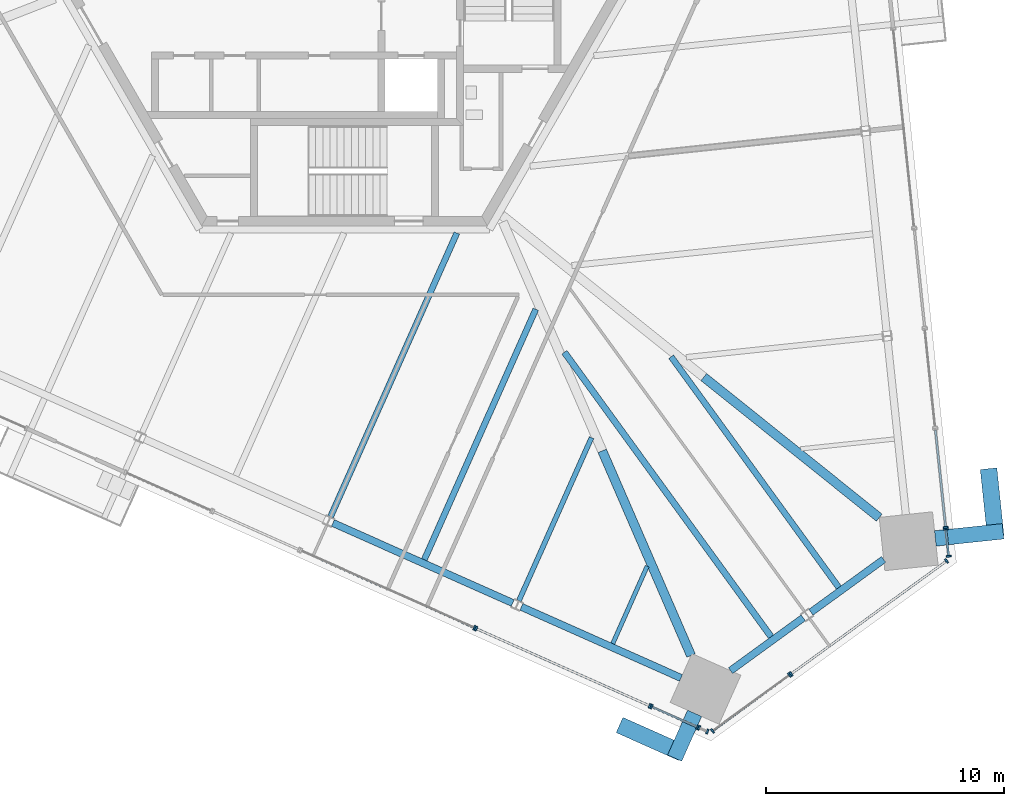
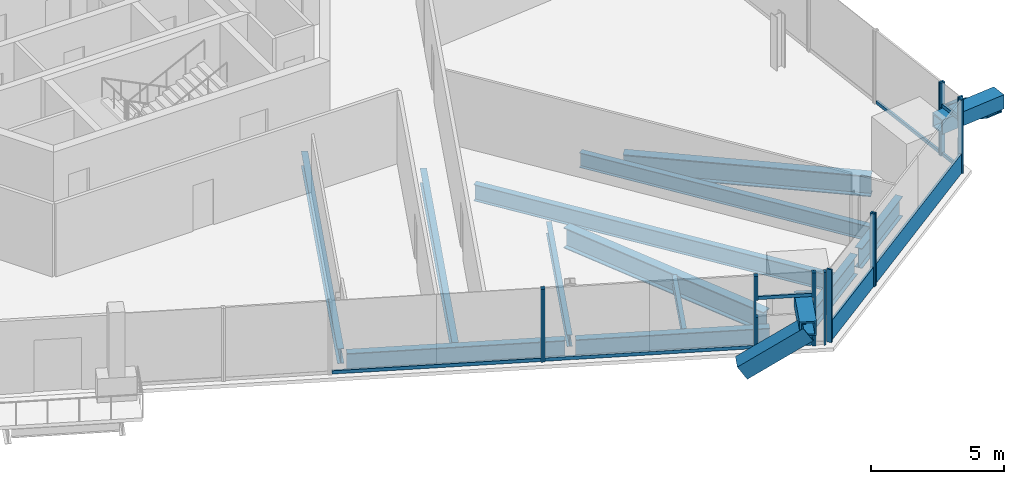
# One storey, part 5 of 25: 31 members, 12 beams, 10 elements without a shape of their own.
"""IFC4 building model written with IfcOpenShell, lengths in metres."""

from ifc_helpers import new_model, si_unit, direction, frame, origin, origin_2d, place, context, subcontext, project, spatial, rectangle, hollow_rectangle, i_section, extrude, source, transform, mapped, material, material_profile, profile_set, type_object, element, aggregate, save


model = new_model("IFC4")

# Units and contexts
model_context = context("Model", 3, precision=1e-05, world=origin(), true_north=direction((0.0, 1.0)))
body_context = subcontext(model_context, "Body", "Model", "MODEL_VIEW")
ifc_project = project(units=[si_unit("LENGTHUNIT", "METRE"), si_unit("AREAUNIT", "SQUARE_METRE"), si_unit("VOLUMEUNIT", "CUBIC_METRE"), si_unit("PLANEANGLEUNIT", "RADIAN"), si_unit("MASSUNIT", "GRAM", prefix="KILO")], contexts=[model_context])

# Site, building, storey
site_placement = place(None, origin())
site = spatial("IfcSite", under=ifc_project, at=site_placement, CompositionType="ELEMENT")
building_placement = place(site_placement, origin())
building = spatial("IfcBuilding", under=site, at=building_placement, Name="Triune Harvest Tower", CompositionType="ELEMENT")
storey_placement = place(building_placement, frame((0.0, 0.0, 90.89990234375)))
storey = spatial("IfcBuildingStorey", under=building, at=storey_placement, Name="L22", CompositionType="ELEMENT", Elevation=90.89990234375)

# Member
ifc_material_1 = material(Name="Steel ASTM A572 Gr 50", Category="steel")
ifc_material_profile_1 = material_profile(ifc_material_1, hollow_rectangle(XDim=0.699951171875, YDim=0.699951171875, WallThickness=0.0400390625, at=origin_2d()), Name="Box 700x700x40")
ifc_profile_set_1 = profile_set([ifc_material_profile_1], Name="Steel ASTM A572 Gr 50")
member_type_1 = type_object("IfcMemberType", Name="BR-1 Brace Box 700x700x40", PredefinedType="BRACE", material=ifc_profile_set_1)
member_1_placement = place(storey_placement, frame((11.72412109375, -31.43408203125, 0.0), z_axis=(0.770548219897, -0.343108917658, 0.537151479042), x_axis=(0.406774979688, 0.913528388119, 0.0)))
element("IfcMember", 1, at=member_1_placement, inside=storey, type_object=member_type_1, Name="brace/B2-F5/d1/10", PredefinedType="BRACE", context=body_context, shape_type="SweptSolid", body=[
    extrude(hollow_rectangle(XDim=0.699951171875, YDim=0.699951171875, WallThickness=0.0400390625, at=origin_2d()), origin(), (0.0, 0.0, 1.0), 2.952880859375),
])

# Beams
ifc_material_2 = material(Name="Steel ASTM A992 Gr 50", Category="steel")
ifc_material_profile_2 = material_profile(ifc_material_2, i_section(OverallWidth=0.3046875, OverallDepth=0.914306640625, WebThickness=0.0166015625, FlangeThickness=0.02587890625, at=origin_2d()), Name="W36x160")
ifc_profile_set_2 = profile_set([ifc_material_profile_2], Name="Steel ASTM A992 Gr 50")
beam_type_1 = type_object("IfcBeamType", Name="SB-1 Spandrel beam W36x160", PredefinedType="SPANDREL", material=ifc_profile_set_2)
shared_shape_1 = source(origin(), body_context, "Body", "SweptSolid", [
    extrude(i_section(OverallWidth=0.3046875, OverallDepth=0.914306640625, WebThickness=0.0166015625, FlangeThickness=0.02587890625, at=origin_2d()), origin(), (0.0, 0.0, 1.0), 7.337890625),
])
beam_1_placement = place(storey_placement, frame((7.4296875, -26.396484375, -0.6171875), z_axis=(0.913546560881, -0.406734165153, 0.0), x_axis=(0.406734165153, 0.913546560881, 0.0)))
element("IfcBeam", 2, at=beam_1_placement, inside=storey, type_object=beam_type_1, Name="beam/L22/SB22", PredefinedType="SPANDREL", context=body_context, shape_type="MappedRepresentation", body=[
    mapped(shared_shape_1, transform((0.0, 0.0, 0.0), scale=1.0)),
])
shared_shape_2 = source(origin(), body_context, "Body", "SweptSolid", [
    extrude(i_section(OverallWidth=0.3046875, OverallDepth=0.914306640625, WebThickness=0.0166015625, FlangeThickness=0.02587890625, at=origin_2d()), origin(), (0.0, 0.0, 1.0), 8.263427734375),
])
beam_2_placement = place(storey_placement, frame((-0.483642578125, -22.873291015625, -0.6171875), z_axis=(0.913544537455, -0.406738709846, 0.0), x_axis=(0.406738709846, 0.913544537455, 0.0)))
element("IfcBeam", 3, at=beam_2_placement, inside=storey, type_object=beam_type_1, Name="beam/L22/SB21", PredefinedType="SPANDREL", context=body_context, shape_type="MappedRepresentation", body=[
    mapped(shared_shape_2, transform((0.0, 0.0, 0.0), scale=1.0)),
])
shared_shape_3 = source(origin(), body_context, "Body", "SweptSolid", [
    extrude(i_section(OverallWidth=0.3046875, OverallDepth=0.914306640625, WebThickness=0.0166015625, FlangeThickness=0.02587890625, at=origin_2d()), origin(), (0.0, 0.0, 1.0), 3.77490234375),
])
for number, where, z_axis, x_axis, name in (
    (4, (16.2119140625, -29.0751953125, -0.6171875), (0.809026850732, 0.587771685942, 0.0), (-0.587771685942, 0.809026850732, 0.0), "beam/L22/SB23"),
    (5, (19.58837890625, -26.6220703125, -0.6171875), (0.809026850732, 0.587771685942, 0.0), (-0.587771685942, 0.809026850732, 0.0), "beam/L22/SB24"),
):
    element("IfcBeam", number, at=place(storey_placement, frame(where, z_axis=z_axis, x_axis=x_axis)), inside=storey, type_object=beam_type_1, Name=name, PredefinedType="SPANDREL", context=body_context, shape_type="MappedRepresentation", body=[
        mapped(shared_shape_3, transform((0.0, 0.0, 0.0), scale=1.0)),
    ])
ifc_material_3 = material(Name="Steel ASTM A992 Gr 50", Category="steel")
ifc_material_profile_3 = material_profile(ifc_material_3, i_section(OverallWidth=0.383544921875, OverallDepth=0.9423828125, WebThickness=0.022216796875, FlangeThickness=0.039794921875, at=origin_2d()), Name="W36x232")
ifc_profile_set_3 = profile_set([ifc_material_profile_3], Name="Steel ASTM A992 Gr 50")
beam_type_2 = type_object("IfcBeamType", Name="HG-1 Hip girder W36x232", PredefinedType="BEAM", material=ifc_profile_set_3)
shared_shape_4 = source(origin(), body_context, "Body", "SweptSolid", [
    extrude(i_section(OverallWidth=0.383544921875, OverallDepth=0.9423828125, WebThickness=0.022216796875, FlangeThickness=0.039794921875, at=origin_2d()), origin(), (0.0, 0.0, 1.0), 9.44091796875),
])
beam_3_placement = place(storey_placement, frame((22.4580078125, -22.649658203125, -0.631103515625), z_axis=(-0.780348817967, 0.625344482903, 0.0), x_axis=(-0.625344482903, -0.780348817967, 0.0)))
element("IfcBeam", 6, at=beam_3_placement, inside=storey, type_object=beam_type_2, Name="beam/L22/HG1", PredefinedType="BEAM", context=body_context, shape_type="MappedRepresentation", body=[
    mapped(shared_shape_4, transform((0.0, 0.0, 0.0), scale=1.0)),
])
shared_shape_5 = source(origin(), body_context, "Body", "SweptSolid", [
    extrude(i_section(OverallWidth=0.383544921875, OverallDepth=0.9423828125, WebThickness=0.022216796875, FlangeThickness=0.039794921875, at=origin_2d()), origin(), (0.0, 0.0, 1.0), 9.366943359375),
])
beam_4_placement = place(storey_placement, frame((14.552978515625, -28.43798828125, -0.631103515625), z_axis=(-0.398055044024, 0.917361532836, 0.0), x_axis=(-0.917361532836, -0.398055044024, 0.0)))
element("IfcBeam", 7, at=beam_4_placement, inside=storey, type_object=beam_type_2, Name="beam/L22/HG7", PredefinedType="BEAM", context=body_context, shape_type="MappedRepresentation", body=[
    mapped(shared_shape_5, transform((0.0, 0.0, 0.0), scale=1.0)),
])
ifc_material_4 = material(Name="Steel ASTM A992 Gr 50", Category="steel")
ifc_material_profile_4 = material_profile(ifc_material_4, i_section(OverallWidth=0.253662109375, OverallDepth=0.683349609375, WebThickness=0.012451171875, FlangeThickness=0.01904296875, at=origin_2d()), Name="W27x94")
ifc_profile_set_4 = profile_set([ifc_material_profile_4], Name="Steel ASTM A992 Gr 50")
beam_type_3 = type_object("IfcBeamType", Name="JT-4 Floor joist W27x94", PredefinedType="JOIST", material=ifc_profile_set_4)
shared_shape_6 = source(origin(), body_context, "Body", "SweptSolid", [
    extrude(i_section(OverallWidth=0.253662109375, OverallDepth=0.683349609375, WebThickness=0.012451171875, FlangeThickness=0.01904296875, at=origin_2d()), origin(), (0.0, 0.0, 1.0), 11.51123046875),
])
beam_5_placement = place(storey_placement, frame((3.352783203125, -24.414794921875, -0.50146484375), z_axis=(0.406740530162, 0.91354372699, 0.0), x_axis=(-0.91354372699, 0.406740530162, 0.0)))
element("IfcBeam", 8, at=beam_5_placement, inside=storey, type_object=beam_type_3, Name="beam/L22/JT35", PredefinedType="JOIST", context=body_context, shape_type="MappedRepresentation", body=[
    mapped(shared_shape_6, transform((0.0, 0.0, 0.0), scale=1.0)),
])
ifc_material_5 = material(Name="Steel ASTM A992 Gr 50", Category="steel")
ifc_material_profile_5 = material_profile(ifc_material_5, i_section(OverallWidth=0.180908203125, OverallDepth=0.41650390625, WebThickness=0.010986328125, FlangeThickness=0.01806640625, at=origin_2d()), Name="W16x57")
ifc_profile_set_5 = profile_set([ifc_material_profile_5], Name="Steel ASTM A992 Gr 50")
beam_type_4 = type_object("IfcBeamType", Name="JT-1 Floor joist W16x57", PredefinedType="JOIST", material=ifc_profile_set_5)
shared_shape_7 = source(origin(), body_context, "Body", "SweptSolid", [
    extrude(i_section(OverallWidth=0.180908203125, OverallDepth=0.41650390625, WebThickness=0.010986328125, FlangeThickness=0.01806640625, at=origin_2d()), origin(), (0.0, 0.0, 1.0), 3.562255859375),
])
beam_6_placement = place(storey_placement, frame((11.26611328125, -27.93798828125, -0.3681640625), z_axis=(0.406767922158, 0.913531530656, 0.0), x_axis=(-0.913531530656, 0.406767922158, 0.0)))
element("IfcBeam", 9, at=beam_6_placement, inside=storey, type_object=beam_type_4, Name="beam/L22/JT37", PredefinedType="JOIST", context=body_context, shape_type="MappedRepresentation", body=[
    mapped(shared_shape_7, transform((0.0, 0.0, 0.0), scale=1.0)),
])
ifc_material_6 = material(Name="Steel ASTM A992 Gr 50", Category="steel")
ifc_material_profile_6 = material_profile(ifc_material_6, i_section(OverallWidth=0.2666015625, OverallDepth=0.7568359375, WebThickness=0.013916015625, FlangeThickness=0.019287109375, at=origin_2d()), Name="W30x108")
ifc_profile_set_6 = profile_set([ifc_material_profile_6], Name="Steel ASTM A992 Gr 50")
beam_type_5 = type_object("IfcBeamType", Name="JT-5 Floor joist W30x108", PredefinedType="JOIST", material=ifc_profile_set_6)
shared_shape_8 = source(origin(), body_context, "Body", "SweptSolid", [
    extrude(i_section(OverallWidth=0.2666015625, OverallDepth=0.7568359375, WebThickness=0.013916015625, FlangeThickness=0.019287109375, at=origin_2d()), origin(), (0.0, 0.0, 1.0), 14.766357421875),
])
beam_7_placement = place(storey_placement, frame((17.915283203125, -27.649169921875, -0.538330078125), z_axis=(-0.587783315485, 0.809018401544, 0.0), x_axis=(-0.809018401544, -0.587783315485, 0.0)))
element("IfcBeam", 10, at=beam_7_placement, inside=storey, type_object=beam_type_5, Name="beam/L22/JT38", PredefinedType="JOIST", context=body_context, shape_type="MappedRepresentation", body=[
    mapped(shared_shape_8, transform((0.0, 0.0, 0.0), scale=1.0)),
])
ifc_material_7 = material(Name="Steel ASTM A992 Gr 50", Category="steel")
ifc_material_profile_7 = material_profile(ifc_material_7, i_section(OverallWidth=0.2099609375, OverallDepth=0.535888671875, WebThickness=0.010986328125, FlangeThickness=0.017333984375, at=origin_2d()), Name="W21x68")
ifc_profile_set_7 = profile_set([ifc_material_profile_7], Name="Steel ASTM A992 Gr 50")
beam_type_6 = type_object("IfcBeamType", Name="JT-2 Floor joist W21x68", PredefinedType="JOIST", material=ifc_profile_set_7)
shared_shape_9 = source(origin(), body_context, "Body", "SweptSolid", [
    extrude(i_section(OverallWidth=0.2099609375, OverallDepth=0.535888671875, WebThickness=0.010986328125, FlangeThickness=0.017333984375, at=origin_2d()), origin(), (0.0, 0.0, 1.0), 7.4921875),
])
beam_8_placement = place(storey_placement, frame((7.32763671875, -26.1357421875, -0.427978515625), z_axis=(0.406737018568, 0.913545290463, 0.0), x_axis=(-0.913545290463, 0.406737018568, 0.0)))
element("IfcBeam", 11, at=beam_8_placement, inside=storey, type_object=beam_type_6, Name="beam/L22/JT36", PredefinedType="JOIST", context=body_context, shape_type="MappedRepresentation", body=[
    mapped(shared_shape_9, transform((0.0, 0.0, 0.0), scale=1.0)),
])
shared_shape_10 = source(origin(), body_context, "Body", "SweptSolid", [
    extrude(i_section(OverallWidth=0.253662109375, OverallDepth=0.683349609375, WebThickness=0.012451171875, FlangeThickness=0.01904296875, at=origin_2d()), origin(), (0.0, 0.0, 1.0), 13.043212890625),
])
beam_9_placement = place(storey_placement, frame((-0.585693359375, -22.612548828125, -0.50146484375), z_axis=(0.40673927971, 0.913544283733, 0.0), x_axis=(-0.913544283733, 0.40673927971, 0.0)))
element("IfcBeam", 12, at=beam_9_placement, inside=storey, type_object=beam_type_3, Name="beam/L22/JT34", PredefinedType="JOIST", context=body_context, shape_type="MappedRepresentation", body=[
    mapped(shared_shape_10, transform((0.0, 0.0, 0.0), scale=1.0)),
])
shared_shape_11 = source(origin(), body_context, "Body", "SweptSolid", [
    extrude(i_section(OverallWidth=0.253662109375, OverallDepth=0.683349609375, WebThickness=0.012451171875, FlangeThickness=0.01904296875, at=origin_2d()), origin(), (0.0, 0.0, 1.0), 11.97802734375),
])
beam_10_placement = place(storey_placement, frame((20.759521484375, -25.582763671875, -0.50146484375), z_axis=(-0.587786239195, 0.809016277347, 0.0), x_axis=(-0.809016277347, -0.587786239195, 0.0)))
element("IfcBeam", 13, at=beam_10_placement, inside=storey, type_object=beam_type_3, Name="beam/L22/JT39", PredefinedType="JOIST", context=body_context, shape_type="MappedRepresentation", body=[
    mapped(shared_shape_11, transform((0.0, 0.0, 0.0), scale=1.0)),
])

# Members
ifc_material_8 = material(Name="Steel ASTM A572 Gr 50", Category="steel")
ifc_material_profile_8 = material_profile(ifc_material_8, hollow_rectangle(XDim=0.64990234375, YDim=0.64990234375, WallThickness=0.070068359375, at=origin_2d()), Name="Box 650x650x70")
ifc_profile_set_8 = profile_set([ifc_material_profile_8], Name="Steel ASTM A572 Gr 50")
member_type_2 = type_object("IfcMemberType", Name="BS-1 Brace stub Box 650x650x70", PredefinedType="STRUT", material=ifc_profile_set_8)
shared_shape_12 = source(origin(), body_context, "Body", "SweptSolid", [
    extrude(hollow_rectangle(XDim=0.64990234375, YDim=0.64990234375, WallThickness=0.070068359375, at=origin_2d()), origin(), (0.0, 0.0, 1.0), 2.060546875),
])
member_2_placement = place(storey_placement, frame((14.703369140625, -30.866455078125, 1.85009765625), z_axis=(-0.406765006664, -0.913532828832, 0.0), x_axis=(0.913532828832, -0.406765006664, 0.0)))
element("IfcMember", 14, at=member_2_placement, inside=storey, type_object=member_type_2, Name="brace/B2-F5/stub2", PredefinedType="STRUT", context=body_context, shape_type="MappedRepresentation", body=[
    mapped(shared_shape_12, transform((0.0, 0.0, 0.0), scale=1.0)),
])
shared_shape_13 = source(origin(), body_context, "Body", "SweptSolid", [
    extrude(hollow_rectangle(XDim=0.699951171875, YDim=0.699951171875, WallThickness=0.0400390625, at=origin_2d()), origin(), (0.0, 0.0, 1.0), 2.953125),
])
member_3_placement = place(storey_placement, frame((27.068115234375, -20.7802734375, 0.0), z_axis=(0.088211614592, -0.838878400434, 0.537123580134), x_axis=(0.994516725118, 0.104577643215, 0.0)))
element("IfcMember", 15, at=member_3_placement, inside=storey, type_object=member_type_1, Name="brace/B2-F1/d2/10", PredefinedType="BRACE", context=body_context, shape_type="MappedRepresentation", body=[
    mapped(shared_shape_13, transform((0.0, 0.0, 0.0), scale=1.0)),
])
shared_shape_14 = source(origin(), body_context, "Body", "SweptSolid", [
    extrude(hollow_rectangle(XDim=0.64990234375, YDim=0.64990234375, WallThickness=0.070068359375, at=origin_2d()), origin(), (0.0, 0.0, 1.0), 2.8603515625),
])
member_4_placement = place(storey_placement, frame((24.81201171875, -23.52197265625, 1.85009765625), z_axis=(0.994519007324, 0.104555937519, 0.0), x_axis=(-0.104555937519, 0.994519007324, 0.0)))
element("IfcMember", 16, at=member_4_placement, inside=storey, type_object=member_type_2, Name="brace/B2-F1/stub4", PredefinedType="STRUT", context=body_context, shape_type="MappedRepresentation", body=[
    mapped(shared_shape_14, transform((0.0, 0.0, 0.0), scale=1.0)),
])

# Curtain wall, member
ifc_material_9 = material(Name="Aluminium bronze anodised", Category="aluminium")
curtain_wall_type_1 = type_object("IfcCurtainWallType", Name="CW-7 Tower stick curtain wall with insulated spandrel infill", PredefinedType="NOTDEFINED", material=ifc_material_9)
curtain_wall_1_placement = place(storey_placement, origin())
curtain_wall_1 = element("IfcCurtainWall", 17, at=curtain_wall_1_placement, inside=storey, type_object=curtain_wall_type_1, Name="CW-7 B2-F6 L22 run 1001")
ifc_material_10 = material(Name="Aluminium bronze anodised", Category="aluminium")
ifc_material_profile_9 = material_profile(ifc_material_10, rectangle(XDim=0.090087890625, YDim=0.89990234375, at=origin_2d()), Name="TR-1 transom 90 x 900")
ifc_profile_set_9 = profile_set([ifc_material_profile_9], Name="Aluminium bronze anodised")
member_type_3 = type_object("IfcMemberType", Name="TR-1 transom 90 x 900", PredefinedType="USERDEFINED", material=ifc_profile_set_9)
shared_shape_15 = source(origin(), body_context, "Body", "SweptSolid", [
    extrude(rectangle(XDim=0.090087890625, YDim=0.89990234375, at=origin_2d()), origin(), (0.0, 0.0, 1.0), 7.996826171875),
])
member_5_placement = place(storey_placement, frame((18.78369140625, -29.19091796875, 0.4501953125), z_axis=(0.809011919631, 0.587792237015, 0.0), x_axis=(-0.587792237015, 0.809011919631, 0.0)))
member_5 = element("IfcMember", 18, at=member_5_placement, type_object=member_type_3, Name="CW-7 transom B2-F6 1001.1", ObjectType="TRANSOM", PredefinedType="USERDEFINED", context=body_context, shape_type="MappedRepresentation", body=[
    mapped(shared_shape_15, transform((0.0, 0.0, 0.0), scale=1.0)),
])

ifc_material_11 = material(Name="Aluminium bronze anodised", Category="aluminium")
curtain_wall_type_2 = type_object("IfcCurtainWallType", Name="CW-1 Tower stick curtain wall", PredefinedType="NOTDEFINED", material=ifc_material_11)
curtain_wall_2_placement = place(storey_placement, origin())
curtain_wall_2 = element("IfcCurtainWall", 19, at=curtain_wall_2_placement, inside=storey, type_object=curtain_wall_type_2, Name="CW-1 B2-F6 L22 run 1")
shared_shape_16 = source(origin(), body_context, "Body", "SweptSolid", [
    extrude(rectangle(XDim=0.090087890625, YDim=0.89990234375, at=origin_2d()), origin(), (0.0, 0.0, 1.0), 3.923095703125),
])
member_6_placement = place(storey_placement, frame((15.48828125, -31.585205078125, 0.4501953125), z_axis=(0.808988965728, 0.587823828482, 0.0), x_axis=(-0.587823828482, 0.808988965728, 0.0)))
member_6 = element("IfcMember", 20, at=member_6_placement, type_object=member_type_3, Name="CW-1 transom B2-F6 1.1", ObjectType="TRANSOM", PredefinedType="USERDEFINED", context=body_context, shape_type="MappedRepresentation", body=[
    mapped(shared_shape_16, transform((0.0, 0.0, 0.0), scale=1.0)),
])

# Curtain wall, members
ifc_material_12 = material(Name="Aluminium bronze anodised", Category="aluminium")
curtain_wall_type_3 = type_object("IfcCurtainWallType", Name="CW-6 Balcony window wall", PredefinedType="NOTDEFINED", material=ifc_material_12)
curtain_wall_3_placement = place(storey_placement, origin())
curtain_wall_3 = element("IfcCurtainWall", 21, at=curtain_wall_3_placement, inside=storey, type_object=curtain_wall_type_3, Name="CW-6 B2-F1 L22 run 1")
ifc_material_13 = material(Name="Aluminium bronze anodised", Category="aluminium")
ifc_material_profile_10 = material_profile(ifc_material_13, rectangle(XDim=0.199951171875, YDim=0.074951171875, at=origin_2d()), Name="MU-6 mullion 75 x 200")
ifc_profile_set_10 = profile_set([ifc_material_profile_10], Name="Aluminium bronze anodised")
member_type_4 = type_object("IfcMemberType", Name="MU-6 mullion 75 x 200", PredefinedType="MULLION", material=ifc_profile_set_10)
shared_shape_17 = source(origin(), body_context, "Body", "SweptSolid", [
    extrude(rectangle(XDim=0.199951171875, YDim=0.074951171875, at=origin_2d()), origin(), (0.0, 0.0, 1.0), 1.465087890625),
])
member_7_placement = place(storey_placement, frame((25.373291015625, -24.2666015625, 0.0), z_axis=(0.0, 0.0, 1.0), x_axis=(-0.994522929633, -0.104518622429, 0.0)))
member_7 = element("IfcMember", 22, at=member_7_placement, type_object=member_type_4, Name="CW-6 mullion B2-F1 1.1", PredefinedType="MULLION", context=body_context, shape_type="MappedRepresentation", body=[
    mapped(shared_shape_17, transform((0.0, 0.0, 0.0), scale=1.0)),
])
member_8_placement = place(storey_placement, frame((25.25341796875, -23.126220703125, 0.0), z_axis=(0.0, 0.0, 1.0), x_axis=(-0.994522929633, -0.104518622429, 0.0)))
member_8 = element("IfcMember", 23, at=member_8_placement, type_object=member_type_4, Name="CW-6 mullion B2-F1 1.2", PredefinedType="MULLION", context=body_context, shape_type="MappedRepresentation", body=[
    mapped(shared_shape_17, transform((0.0, 0.0, 0.0), scale=1.0)),
])

ifc_material_14 = material(Name="Aluminium bronze anodised", Category="aluminium")
curtain_wall_type_4 = type_object("IfcCurtainWallType", Name="CW-10 Balcony window wall with insulated spandrel infill", PredefinedType="NOTDEFINED", material=ifc_material_14)
curtain_wall_4_placement = place(storey_placement, origin())
curtain_wall_4 = element("IfcCurtainWall", 24, at=curtain_wall_4_placement, inside=storey, type_object=curtain_wall_type_4, Name="CW-10 B2-F5 L22 run 102")
member_9_placement = place(storey_placement, frame((12.89111328125, -30.58544921875, 0.0), z_axis=(0.0, 0.0, 1.0), x_axis=(0.40673511621, 0.913546137446, 0.0)))
member_9 = element("IfcMember", 25, at=member_9_placement, type_object=member_type_4, Name="CW-10 mullion B2-F5 102.1", PredefinedType="MULLION", context=body_context, shape_type="MappedRepresentation", body=[
    mapped(shared_shape_17, transform((0.0, 0.0, 0.0), scale=1.0)),
])
member_10_placement = place(storey_placement, frame((14.825439453125, -31.446533203125, 0.0), z_axis=(0.0, 0.0, 1.0), x_axis=(0.40673511621, 0.913546137446, 0.0)))
member_10 = element("IfcMember", 26, at=member_10_placement, type_object=member_type_4, Name="CW-10 mullion B2-F5 102.2", PredefinedType="MULLION", context=body_context, shape_type="MappedRepresentation", body=[
    mapped(shared_shape_17, transform((0.0, 0.0, 0.0), scale=1.0)),
])

# Member
ifc_material_15 = material(Name="Aluminium bronze anodised", Category="aluminium")
ifc_material_profile_11 = material_profile(ifc_material_15, rectangle(XDim=0.090087890625, YDim=0.14990234375, at=origin_2d()), Name="TR-6 transom 90 x 150")
ifc_profile_set_11 = profile_set([ifc_material_profile_11], Name="Aluminium bronze anodised")
member_type_5 = type_object("IfcMemberType", Name="TR-6 transom 90 x 150", PredefinedType="USERDEFINED", material=ifc_profile_set_11)
shared_shape_18 = source(origin(), body_context, "Body", "SweptSolid", [
    extrude(rectangle(XDim=0.090087890625, YDim=0.14990234375, at=origin_2d()), origin(), (0.0, 0.0, 1.0), 1.07177734375),
])
member_11_placement = place(storey_placement, frame((25.369384765625, -24.2294921875, 0.0751953125), z_axis=(-0.104554352009, 0.994519174011, 0.0), x_axis=(-0.994519174011, -0.104554352009, 0.0)))
member_11 = element("IfcMember", 27, at=member_11_placement, type_object=member_type_5, Name="CW-6 transom B2-F1 1.1", ObjectType="TRANSOM", PredefinedType="USERDEFINED", context=body_context, shape_type="MappedRepresentation", body=[
    mapped(shared_shape_18, transform((0.0, 0.0, 0.0), scale=1.0)),
])

aggregate(curtain_wall_3, [member_7, member_8, member_11])

# Curtain wall, members
curtain_wall_5_placement = place(storey_placement, origin())
curtain_wall_5 = element("IfcCurtainWall", 28, at=curtain_wall_5_placement, inside=storey, type_object=curtain_wall_type_3, Name="CW-6 B2-F1 L22 run 101")
member_12_placement = place(storey_placement, frame((25.369384765625, -24.2294921875, 2.31005859375), z_axis=(-0.104554352009, 0.994519174011, 0.0), x_axis=(-0.994519174011, -0.104554352009, 0.0)))
member_12 = element("IfcMember", 29, at=member_12_placement, type_object=member_type_5, Name="CW-6 transom B2-F1 101.1", ObjectType="TRANSOM", PredefinedType="USERDEFINED", context=body_context, shape_type="MappedRepresentation", body=[
    mapped(shared_shape_18, transform((0.0, 0.0, 0.0), scale=1.0)),
])
shared_shape_19 = source(origin(), body_context, "Body", "SweptSolid", [
    extrude(rectangle(XDim=0.199951171875, YDim=0.074951171875, at=origin_2d()), origin(), (0.0, 0.0, 1.0), 1.114990234375),
])
member_13_placement = place(storey_placement, frame((25.373291015625, -24.2666015625, 2.235107421875), z_axis=(0.0, 0.0, 1.0), x_axis=(-0.994522929633, -0.104518622429, 0.0)))
member_13 = element("IfcMember", 30, at=member_13_placement, type_object=member_type_4, Name="CW-6 mullion B2-F1 101.1", PredefinedType="MULLION", context=body_context, shape_type="MappedRepresentation", body=[
    mapped(shared_shape_19, transform((0.0, 0.0, 0.0), scale=1.0)),
])
member_14_placement = place(storey_placement, frame((25.25341796875, -23.126220703125, 2.235107421875), z_axis=(0.0, 0.0, 1.0), x_axis=(-0.994522929633, -0.104518622429, 0.0)))
member_14 = element("IfcMember", 31, at=member_14_placement, type_object=member_type_4, Name="CW-6 mullion B2-F1 101.2", PredefinedType="MULLION", context=body_context, shape_type="MappedRepresentation", body=[
    mapped(shared_shape_19, transform((0.0, 0.0, 0.0), scale=1.0)),
])
aggregate(curtain_wall_5, [member_13, member_14, member_12])

curtain_wall_6_placement = place(storey_placement, origin())
curtain_wall_6 = element("IfcCurtainWall", 32, at=curtain_wall_6_placement, inside=storey, type_object=curtain_wall_type_3, Name="CW-6 B2-F5 L22 run 202")
member_15_placement = place(storey_placement, frame((12.89111328125, -30.58544921875, 2.235107421875), z_axis=(0.0, 0.0, 1.0), x_axis=(0.40673511621, 0.913546137446, 0.0)))
member_15 = element("IfcMember", 33, at=member_15_placement, type_object=member_type_4, Name="CW-6 mullion B2-F5 202.1", PredefinedType="MULLION", context=body_context, shape_type="MappedRepresentation", body=[
    mapped(shared_shape_19, transform((0.0, 0.0, 0.0), scale=1.0)),
])
member_16_placement = place(storey_placement, frame((14.825439453125, -31.446533203125, 2.235107421875), z_axis=(0.0, 0.0, 1.0), x_axis=(0.40673511621, 0.913546137446, 0.0)))
member_16 = element("IfcMember", 34, at=member_16_placement, type_object=member_type_4, Name="CW-6 mullion B2-F5 202.2", PredefinedType="MULLION", context=body_context, shape_type="MappedRepresentation", body=[
    mapped(shared_shape_19, transform((0.0, 0.0, 0.0), scale=1.0)),
])

# Curtain wall, member
curtain_wall_7_placement = place(storey_placement, origin())
curtain_wall_7 = element("IfcCurtainWall", 35, at=curtain_wall_7_placement, inside=storey, type_object=curtain_wall_type_4, Name="CW-10 B2-F1 L22 run 201")
shared_shape_20 = source(origin(), body_context, "Body", "SweptSolid", [
    extrude(rectangle(XDim=0.199951171875, YDim=0.074951171875, at=origin_2d()), origin(), (0.0, 0.0, 1.0), 3.35009765625),
])
member_17_placement = place(storey_placement, frame((25.24560546875, -23.051513671875, 0.0), z_axis=(0.0, 0.0, 1.0), x_axis=(-0.994523084185, -0.104517151815, 0.0)))
member_17 = element("IfcMember", 36, at=member_17_placement, type_object=member_type_4, Name="CW-10 mullion B2-F1 201.1", PredefinedType="MULLION", context=body_context, shape_type="MappedRepresentation", body=[
    mapped(shared_shape_20, transform((0.0, 0.0, 0.0), scale=1.0)),
])

curtain_wall_8_placement = place(storey_placement, origin())
curtain_wall_8 = element("IfcCurtainWall", 37, at=curtain_wall_8_placement, inside=storey, type_object=curtain_wall_type_3, Name="CW-6 B2-F5 L22 run 2002")
member_18_placement = place(storey_placement, frame((5.459716796875, -27.276611328125, 0.0), z_axis=(0.0, 0.0, 1.0), x_axis=(0.406739305594, 0.913544272209, 0.0)))
member_18 = element("IfcMember", 38, at=member_18_placement, type_object=member_type_4, Name="CW-6 mullion B2-F5 2002.3", PredefinedType="MULLION", context=body_context, shape_type="MappedRepresentation", body=[
    mapped(shared_shape_20, transform((0.0, 0.0, 0.0), scale=1.0)),
])

# Curtain wall, members
curtain_wall_9_placement = place(storey_placement, origin())
curtain_wall_9 = element("IfcCurtainWall", 39, at=curtain_wall_9_placement, inside=storey, type_object=curtain_wall_type_4, Name="CW-10 B2-F5 L22 run 3002")
member_19_placement = place(storey_placement, frame((5.528076171875, -27.30712890625, 0.0), z_axis=(0.0, 0.0, 1.0), x_axis=(0.406734695374, 0.913546324813, 0.0)))
member_19 = element("IfcMember", 40, at=member_19_placement, type_object=member_type_4, Name="CW-10 mullion B2-F5 3002.1", PredefinedType="MULLION", context=body_context, shape_type="MappedRepresentation", body=[
    mapped(shared_shape_20, transform((0.0, 0.0, 0.0), scale=1.0)),
])
member_20_placement = place(storey_placement, frame((12.82275390625, -30.554931640625, 0.0), z_axis=(0.0, 0.0, 1.0), x_axis=(0.406734695374, 0.913546324813, 0.0)))
member_20 = element("IfcMember", 41, at=member_20_placement, type_object=member_type_4, Name="CW-10 mullion B2-F5 3002.3", PredefinedType="MULLION", context=body_context, shape_type="MappedRepresentation", body=[
    mapped(shared_shape_20, transform((0.0, 0.0, 0.0), scale=1.0)),
])

curtain_wall_10_placement = place(storey_placement, origin())
curtain_wall_10 = element("IfcCurtainWall", 42, at=curtain_wall_10_placement, inside=storey, type_object=curtain_wall_type_3, Name="CW-6 B2-F5 L22 run 302")
member_21_placement = place(storey_placement, frame((14.89404296875, -31.47705078125, 0.0), z_axis=(0.0, 0.0, 1.0), x_axis=(0.406754370993, 0.913537564459, 0.0)))
member_21 = element("IfcMember", 43, at=member_21_placement, type_object=member_type_4, Name="CW-6 mullion B2-F5 302.1", PredefinedType="MULLION", context=body_context, shape_type="MappedRepresentation", body=[
    mapped(shared_shape_20, transform((0.0, 0.0, 0.0), scale=1.0)),
])
member_22_placement = place(storey_placement, frame((15.23828125, -31.63037109375, 0.0), z_axis=(0.0, 0.0, 1.0), x_axis=(0.406754370993, 0.913537564459, 0.0)))
member_22 = element("IfcMember", 44, at=member_22_placement, type_object=member_type_4, Name="CW-6 mullion B2-F5 302.2", PredefinedType="MULLION", context=body_context, shape_type="MappedRepresentation", body=[
    mapped(shared_shape_20, transform((0.0, 0.0, 0.0), scale=1.0)),
])
aggregate(curtain_wall_10, [member_21, member_22])

# Member
shared_shape_21 = source(origin(), body_context, "Body", "SweptSolid", [
    extrude(rectangle(XDim=0.090087890625, YDim=0.14990234375, at=origin_2d()), origin(), (0.0, 0.0, 1.0), 4.0732421875),
])
member_23_placement = place(storey_placement, frame((25.24169921875, -23.014404296875, 0.0751953125), z_axis=(-0.104528784824, 0.994521861571, 0.0), x_axis=(-0.994521861571, -0.104528784824, 0.0)))
member_23 = element("IfcMember", 45, at=member_23_placement, type_object=member_type_5, Name="CW-10 transom B2-F1 201.1", ObjectType="TRANSOM", PredefinedType="USERDEFINED", context=body_context, shape_type="MappedRepresentation", body=[
    mapped(shared_shape_21, transform((0.0, 0.0, 0.0), scale=1.0)),
])

aggregate(curtain_wall_7, [member_17, member_23])

ifc_material_16 = material(Name="Aluminium bronze anodised", Category="aluminium")
ifc_material_profile_12 = material_profile(ifc_material_16, rectangle(XDim=0.199951171875, YDim=0.074951171875, at=origin_2d()), Name="MU-1 mullion 75 x 200")
ifc_profile_set_12 = profile_set([ifc_material_profile_12], Name="Aluminium bronze anodised")
member_type_6 = type_object("IfcMemberType", Name="MU-1 mullion 75 x 200", PredefinedType="MULLION", material=ifc_profile_set_12)
shared_shape_22 = source(origin(), body_context, "Body", "SweptSolid", [
    extrude(rectangle(XDim=0.199951171875, YDim=0.074951171875, at=origin_2d()), origin(), (0.0, 0.0, 1.0), 3.35009765625),
])
member_24_placement = place(storey_placement, frame((15.457763671875, -31.607177734375, 0.0), z_axis=(0.0, 0.0, 1.0), x_axis=(-0.58779469155, 0.809010136269, 0.0)))
member_24 = element("IfcMember", 46, at=member_24_placement, type_object=member_type_6, Name="CW-1 mullion B2-F6 1.1", PredefinedType="MULLION", context=body_context, shape_type="MappedRepresentation", body=[
    mapped(shared_shape_22, transform((0.0, 0.0, 0.0), scale=1.0)),
])

member_25_placement = place(storey_placement, frame((18.692626953125, -29.257080078125, 0.0), z_axis=(0.0, 0.0, 1.0), x_axis=(-0.58779469155, 0.809010136269, 0.0)))
member_25 = element("IfcMember", 47, at=member_25_placement, type_object=member_type_6, Name="CW-1 mullion B2-F6 1.2", PredefinedType="MULLION", context=body_context, shape_type="MappedRepresentation", body=[
    mapped(shared_shape_22, transform((0.0, 0.0, 0.0), scale=1.0)),
])

aggregate(curtain_wall_2, [member_24, member_25, member_6])

member_26_placement = place(storey_placement, frame((18.753173828125, -29.212890625, 0.0), z_axis=(0.0, 0.0, 1.0), x_axis=(-0.587788292708, 0.809014785375, 0.0)))
member_26 = element("IfcMember", 48, at=member_26_placement, type_object=member_type_6, Name="CW-7 mullion B2-F6 1001.1", PredefinedType="MULLION", context=body_context, shape_type="MappedRepresentation", body=[
    mapped(shared_shape_22, transform((0.0, 0.0, 0.0), scale=1.0)),
])

member_27_placement = place(storey_placement, frame((25.283447265625, -24.468505859375, 0.0), z_axis=(0.0, 0.0, 1.0), x_axis=(-0.587788292708, 0.809014785375, 0.0)))
member_27 = element("IfcMember", 49, at=member_27_placement, type_object=member_type_6, Name="CW-7 mullion B2-F6 1001.3", PredefinedType="MULLION", context=body_context, shape_type="MappedRepresentation", body=[
    mapped(shared_shape_22, transform((0.0, 0.0, 0.0), scale=1.0)),
])

aggregate(curtain_wall_1, [member_26, member_27, member_5])

shared_shape_23 = source(origin(), body_context, "Body", "SweptSolid", [
    extrude(rectangle(XDim=0.090087890625, YDim=0.14990234375, at=origin_2d()), origin(), (0.0, 0.0, 1.0), 7.90966796875),
])
member_28_placement = place(storey_placement, frame((-1.800537109375, -24.044189453125, 0.0751953125), z_axis=(0.913538959221, -0.406751238457, 0.0), x_axis=(0.406751238457, 0.913538959221, 0.0)))
member_28 = element("IfcMember", 50, at=member_28_placement, type_object=member_type_5, Name="CW-6 transom B2-F5 2002.1", ObjectType="TRANSOM", PredefinedType="USERDEFINED", context=body_context, shape_type="MappedRepresentation", body=[
    mapped(shared_shape_23, transform((0.0, 0.0, 0.0), scale=1.0)),
])

aggregate(curtain_wall_8, [member_18, member_28])

member_29_placement = place(storey_placement, frame((5.5625, -27.322509765625, 0.0751953125), z_axis=(0.91355042826, -0.406725478703, 0.0), x_axis=(0.406725478703, 0.91355042826, 0.0)))
member_29 = element("IfcMember", 51, at=member_29_placement, type_object=member_type_5, Name="CW-10 transom B2-F5 3002.1", ObjectType="TRANSOM", PredefinedType="USERDEFINED", context=body_context, shape_type="MappedRepresentation", body=[
    mapped(shared_shape_23, transform((0.0, 0.0, 0.0), scale=1.0)),
])

aggregate(curtain_wall_9, [member_19, member_20, member_29])

shared_shape_24 = source(origin(), body_context, "Body", "SweptSolid", [
    extrude(rectangle(XDim=0.090087890625, YDim=0.14990234375, at=origin_2d()), origin(), (0.0, 0.0, 1.0), 2.042236328125),
])
member_30_placement = place(storey_placement, frame((12.925537109375, -30.6005859375, 0.0751953125), z_axis=(0.913520476066, -0.406792747979, 0.0), x_axis=(0.406792747979, 0.913520476066, 0.0)))
member_30 = element("IfcMember", 52, at=member_30_placement, type_object=member_type_5, Name="CW-10 transom B2-F5 102.1", ObjectType="TRANSOM", PredefinedType="USERDEFINED", context=body_context, shape_type="MappedRepresentation", body=[
    mapped(shared_shape_24, transform((0.0, 0.0, 0.0), scale=1.0)),
])

aggregate(curtain_wall_4, [member_9, member_10, member_30])

member_31_placement = place(storey_placement, frame((12.925537109375, -30.6005859375, 2.31005859375), z_axis=(0.913520476066, -0.406792747979, 0.0), x_axis=(0.406792747979, 0.913520476066, 0.0)))
member_31 = element("IfcMember", 53, at=member_31_placement, type_object=member_type_5, Name="CW-6 transom B2-F5 202.1", ObjectType="TRANSOM", PredefinedType="USERDEFINED", context=body_context, shape_type="MappedRepresentation", body=[
    mapped(shared_shape_24, transform((0.0, 0.0, 0.0), scale=1.0)),
])

aggregate(curtain_wall_6, [member_15, member_16, member_31])

save(model, "model.ifc")
